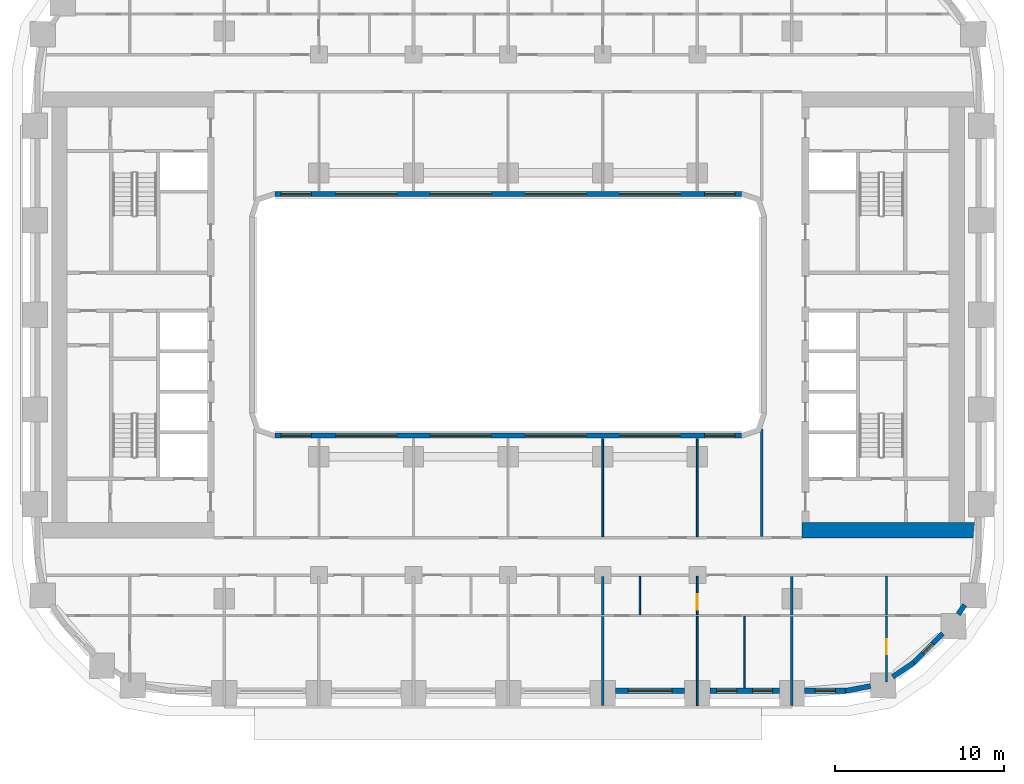
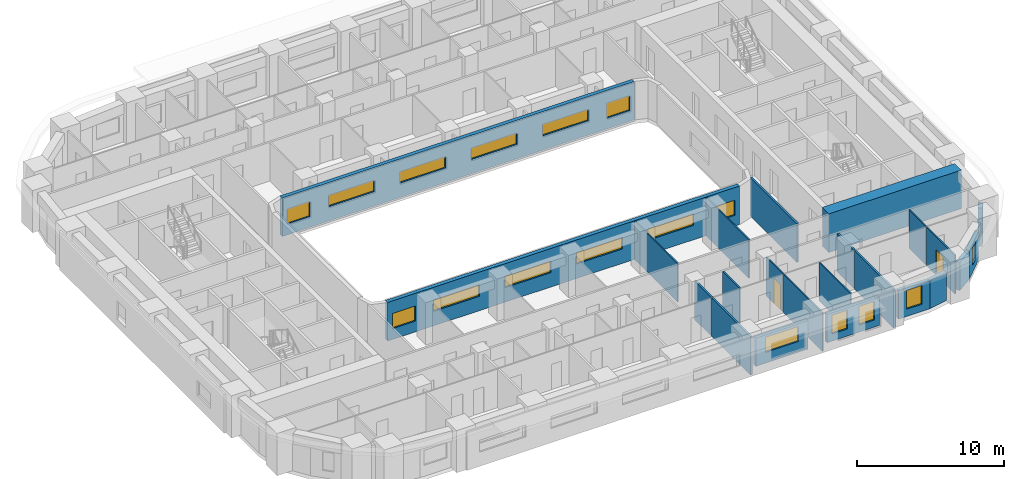
# One storey, part 5 of 20: 23 walls, 17 windows, 2 doors, 19 openings.
"""IFC4 building model written with IfcOpenShell, lengths in metres."""

from ifc_helpers import new_model, si_unit, direction, frame, frame_2d, origin, place, context, subcontext, project, spatial, rectangle, extrude, material, layer, layer_set, type_object, element, fill, save


model = new_model("IFC4")

# Units and contexts
model_context = context("Model", 3, precision=1e-05, world=origin(), true_north=direction((0.0, 1.0)))
body_context = subcontext(model_context, "Body", "Model", "MODEL_VIEW")
ifc_project = project(units=[si_unit("LENGTHUNIT", "METRE"), si_unit("AREAUNIT", "SQUARE_METRE"), si_unit("VOLUMEUNIT", "CUBIC_METRE"), si_unit("PLANEANGLEUNIT", "RADIAN"), si_unit("MASSUNIT", "GRAM", prefix="KILO")], contexts=[model_context])

# Site, building, storey
site_placement = place(None, origin())
site = spatial("IfcSite", under=ifc_project, at=site_placement, CompositionType="ELEMENT")
building_placement = place(site_placement, origin())
building = spatial("IfcBuilding", under=site, at=building_placement, Name="Kiln Ring Residences", CompositionType="ELEMENT")
storey_placement = place(building_placement, frame((0.0, 0.0, 37.5)))
storey = spatial("IfcBuildingStorey", under=building, at=storey_placement, Name="L08", CompositionType="ELEMENT", Elevation=37.5)

# Wall
ifc_material_1 = material(Name="Concrete C60/75", Category="concrete")
ifc_layer_1 = layer(ifc_material_1, 0.89990234375)
ifc_layer_set_1 = layer_set([ifc_layer_1], Name="CORE-WALL-RC900")
wall_type_1 = type_object("IfcWallType", Name="CORE-WALL-RC900", PredefinedType="SHEAR", material=ifc_layer_set_1)
wall_1_placement = place(storey_placement, frame((17.39990234375, -12.75, 0.0), z_axis=(0.0, 0.0, 1.0), x_axis=(1.0, 0.0, 0.0)))
element("IfcWall", 1, at=wall_1_placement, inside=storey, type_object=wall_type_1, Name="Core wall east L08 5", PredefinedType="SHEAR", context=body_context, shape_type="SweptSolid", body=[
    extrude(rectangle(XDim=10.400146484375, YDim=0.89990234375, at=frame_2d((5.2001953125, 0.0))), origin(), (0.0, 0.0, 1.0), 3.199951171875),
])

# Wall, opening, window
ifc_material_2 = material(Name="Brick masonry, dark clay brick", Category="masonry")
ifc_layer_2 = layer(ifc_material_2, 0.300048828125)
ifc_layer_set_2 = layer_set([ifc_layer_2], Name="EW-300 BRICK WALL")
wall_type_2 = type_object("IfcWallType", Name="EW-300 BRICK WALL", PredefinedType="SOLIDWALL", material=ifc_layer_set_2)
wall_2_placement = place(storey_placement, frame((6.35009765625, -22.25, 0.0), z_axis=(0.0, 0.0, 1.0), x_axis=(1.0, 0.0, 0.0)))
wall_2 = element("IfcWall", 2, at=wall_2_placement, inside=storey, type_object=wall_type_2, Name="Facade wall L08 9", PredefinedType="SOLIDWALL", context=body_context, shape_type="SweptSolid", body=[
    extrude(rectangle(XDim=4.099853515625, YDim=0.300048828125, at=frame_2d((2.0498046875, 0.0))), origin(), (0.0, 0.0, 1.0), 2.35009765625),
])
opening_1_placement = place(wall_2_placement, frame((0.75, 0.0, 0.89990234375)))
opening_1 = element("IfcOpeningElement", 3, at=opening_1_placement, cuts=wall_2, Name="Opening W3", PredefinedType="OPENING", context=body_context, shape_type="SweptSolid", body=[
    extrude(rectangle(XDim=2.60009765625, YDim=1.25, at=frame_2d((1.300048828125, 0.625))), frame((0.0, 0.159912109375, 0.0), z_axis=(0.0, -1.0, 0.0), x_axis=(1.0, 0.0, 0.0)), (0.0, 0.0, 1.0), 0.320068359375),
])
ifc_material_3 = material(Name="Aluminium frame with double glazing", Category="aluminium")
window_type_1 = type_object("IfcWindowType", Name="WINDOW 2600 x 1250", PartitioningType="SINGLE_PANEL", PredefinedType="WINDOW", material=ifc_material_3)
window_1_placement = place(opening_1_placement, origin())
window_1 = element("IfcWindow", 4, at=window_1_placement, inside=storey, type_object=window_type_1, Name="Window L08 7", OverallHeight=1.25, OverallWidth=2.60009765625, PartitioningType="SINGLE_PANEL", PredefinedType="WINDOW", context=body_context, shape_type="SweptSolid", body=[
    extrude(rectangle(XDim=2.60009765625, YDim=1.25, at=frame_2d((1.300048828125, 0.625))), frame((0.0, 0.030029296875, 0.0), z_axis=(0.0, -1.0, 0.0), x_axis=(1.0, 0.0, 0.0)), (0.0, 0.0, 1.0), 0.06005859375),
])
fill(opening_1, window_1)

# Wall, openings, windows
wall_3_placement = place(storey_placement, frame((11.949951171875, -22.25, 0.0), z_axis=(0.0, 0.0, 1.0), x_axis=(1.0, 0.0, 0.0)))
wall_3 = element("IfcWall", 5, at=wall_3_placement, inside=storey, type_object=wall_type_2, Name="Facade wall L08 10", PredefinedType="SOLIDWALL", context=body_context, shape_type="SweptSolid", body=[
    extrude(rectangle(XDim=4.10009765625, YDim=0.300048828125, at=frame_2d((2.050048828125, 0.0))), origin(), (0.0, 0.0, 1.0), 2.35009765625),
])
opening_2_placement = place(wall_3_placement, frame((0.387451171875, 0.0, 0.60009765625)))
opening_2 = element("IfcOpeningElement", 6, at=opening_2_placement, cuts=wall_3, Name="Opening W1", PredefinedType="OPENING", context=body_context, shape_type="SweptSolid", body=[
    extrude(rectangle(XDim=1.199951171875, YDim=1.550048828125, at=frame_2d((0.60009765625, 0.77490234375))), frame((0.0, 0.159912109375, 0.0), z_axis=(0.0, -1.0, 0.0), x_axis=(1.0, 0.0, 0.0)), (0.0, 0.0, 1.0), 0.320068359375),
])
opening_3_placement = place(wall_3_placement, frame((2.512451171875, 0.0, 0.60009765625)))
opening_3 = element("IfcOpeningElement", 7, at=opening_3_placement, cuts=wall_3, Name="Opening W1", PredefinedType="OPENING", context=body_context, shape_type="SweptSolid", body=[
    extrude(rectangle(XDim=1.199951171875, YDim=1.550048828125, at=frame_2d((0.60009765625, 0.77490234375))), frame((0.0, 0.159912109375, 0.0), z_axis=(0.0, -1.0, 0.0), x_axis=(1.0, 0.0, 0.0)), (0.0, 0.0, 1.0), 0.320068359375),
])
ifc_material_4 = material(Name="Aluminium frame with double glazing", Category="aluminium")
window_type_2 = type_object("IfcWindowType", Name="WINDOW 1200 x 1550", PartitioningType="SINGLE_PANEL", PredefinedType="WINDOW", material=ifc_material_4)
window_2_placement = place(opening_2_placement, origin())
window_2 = element("IfcWindow", 8, at=window_2_placement, inside=storey, type_object=window_type_2, Name="Window L08 8", OverallHeight=1.550048828125, OverallWidth=1.199951171875, PartitioningType="SINGLE_PANEL", PredefinedType="WINDOW", context=body_context, shape_type="SweptSolid", body=[
    extrude(rectangle(XDim=1.199951171875, YDim=1.550048828125, at=frame_2d((0.60009765625, 0.77490234375))), frame((0.0, 0.030029296875, 0.0), z_axis=(0.0, -1.0, 0.0), x_axis=(1.0, 0.0, 0.0)), (0.0, 0.0, 1.0), 0.06005859375),
])
fill(opening_2, window_2)
window_3_placement = place(opening_3_placement, origin())
window_3 = element("IfcWindow", 9, at=window_3_placement, inside=storey, type_object=window_type_2, Name="Window L08 9", OverallHeight=1.550048828125, OverallWidth=1.199951171875, PartitioningType="SINGLE_PANEL", PredefinedType="WINDOW", context=body_context, shape_type="SweptSolid", body=[
    extrude(rectangle(XDim=1.199951171875, YDim=1.550048828125, at=frame_2d((0.60009765625, 0.77490234375))), frame((0.0, 0.030029296875, 0.0), z_axis=(0.0, -1.0, 0.0), x_axis=(1.0, 0.0, 0.0)), (0.0, 0.0, 1.0), 0.06005859375),
])
fill(opening_3, window_3)

# Wall, opening, window
wall_4_placement = place(storey_placement, frame((17.550048828125, -22.25, 0.0), z_axis=(0.0, 0.0, 1.0), x_axis=(1.0, 0.0, 0.0)))
wall_4 = element("IfcWall", 10, at=wall_4_placement, inside=storey, type_object=wall_type_2, Name="Facade wall L08 11", PredefinedType="SOLIDWALL", context=body_context, shape_type="SweptSolid", body=[
    extrude(rectangle(XDim=2.449951171875, YDim=0.300048828125, at=frame_2d((1.22509765625, 0.0))), origin(), (0.0, 0.0, 1.0), 2.35009765625),
])
opening_4_placement = place(wall_4_placement, frame((0.625, 0.0, 0.60009765625)))
opening_4 = element("IfcOpeningElement", 11, at=opening_4_placement, cuts=wall_4, Name="Opening W1", PredefinedType="OPENING", context=body_context, shape_type="SweptSolid", body=[
    extrude(rectangle(XDim=1.199951171875, YDim=1.550048828125, at=frame_2d((0.60009765625, 0.77490234375))), frame((0.0, 0.159912109375, 0.0), z_axis=(0.0, -1.0, 0.0), x_axis=(1.0, 0.0, 0.0)), (0.0, 0.0, 1.0), 0.320068359375),
])
window_4_placement = place(opening_4_placement, origin())
window_4 = element("IfcWindow", 12, at=window_4_placement, inside=storey, type_object=window_type_2, Name="Window L08 10", OverallHeight=1.550048828125, OverallWidth=1.199951171875, PartitioningType="SINGLE_PANEL", PredefinedType="WINDOW", context=body_context, shape_type="SweptSolid", body=[
    extrude(rectangle(XDim=1.199951171875, YDim=1.550048828125, at=frame_2d((0.60009765625, 0.77490234375))), frame((0.0, 0.030029296875, 0.0), z_axis=(0.0, -1.0, 0.0), x_axis=(1.0, 0.0, 0.0)), (0.0, 0.0, 1.0), 0.06005859375),
])
fill(opening_4, window_4)

# Walls
for number, where, z_axis, x_axis, name in (
    (13, (19.971923828125, -22.252685546875, 0.0), (0.0, 0.0, 1.0), (0.982287454367, 0.187380247071, 0.0), "Facade wall L08 12"),
    (14, (22.76708984375, -21.425537109375, 0.0), (0.0, 0.0, 1.0), (0.827028997312, 0.562159263559, 0.0), "Facade wall L08 13"),
):
    element("IfcWall", number, at=place(storey_placement, frame(where, z_axis=z_axis, x_axis=x_axis)), inside=storey, type_object=wall_type_2, Name=name, PredefinedType="SOLIDWALL", context=body_context, shape_type="SweptSolid", body=[
        extrude(rectangle(XDim=1.506103515625, YDim=0.300048828125, at=frame_2d((0.7529296875, 0.0))), origin(), (0.0, 0.0, 1.0), 2.35009765625),
    ])

# Wall, opening, window
wall_5_placement = place(storey_placement, frame((23.990966796875, -20.596923828125, 0.0), z_axis=(0.0, 0.0, 1.0), x_axis=(0.707106781187, 0.707106781187, 0.0)))
wall_5 = element("IfcWall", 15, at=wall_5_placement, inside=storey, type_object=wall_type_2, Name="Facade wall L08 14", PredefinedType="SOLIDWALL", context=body_context, shape_type="SweptSolid", body=[
    extrude(rectangle(XDim=2.449951171875, YDim=0.300048828125, at=frame_2d((1.22509765625, 0.0))), origin(), (0.0, 0.0, 1.0), 2.35009765625),
])
opening_5_placement = place(wall_5_placement, frame((0.824951171875, 0.0, 0.60009765625)))
opening_5 = element("IfcOpeningElement", 16, at=opening_5_placement, cuts=wall_5, Name="Opening W5", PredefinedType="OPENING", context=body_context, shape_type="SweptSolid", body=[
    extrude(rectangle(XDim=0.800048828125, YDim=1.550048828125, at=frame_2d((0.39990234375, 0.77490234375))), frame((0.0, 0.159912109375, 0.0), z_axis=(0.0, -1.0, 0.0), x_axis=(1.0, 0.0, 0.0)), (0.0, 0.0, 1.0), 0.320068359375),
])
ifc_material_5 = material(Name="Aluminium frame with double glazing", Category="aluminium")
window_type_3 = type_object("IfcWindowType", Name="WINDOW 800 x 1550", PartitioningType="SINGLE_PANEL", PredefinedType="WINDOW", material=ifc_material_5)
window_5_placement = place(opening_5_placement, origin())
window_5 = element("IfcWindow", 17, at=window_5_placement, inside=storey, type_object=window_type_3, Name="Window L08 11", OverallHeight=1.550048828125, OverallWidth=0.800048828125, PartitioningType="SINGLE_PANEL", PredefinedType="WINDOW", context=body_context, shape_type="SweptSolid", body=[
    extrude(rectangle(XDim=0.800048828125, YDim=1.550048828125, at=frame_2d((0.39990234375, 0.77490234375))), frame((0.0, 0.030029296875, 0.0), z_axis=(0.0, -1.0, 0.0), x_axis=(1.0, 0.0, 0.0)), (0.0, 0.0, 1.0), 0.06005859375),
])
fill(opening_5, window_5)

# Wall
wall_6_placement = place(storey_placement, frame((26.644775390625, -17.72705078125, 0.0), z_axis=(0.0, 0.0, 1.0), x_axis=(0.562083182981, 0.827080706709, 0.0)))
element("IfcWall", 18, at=wall_6_placement, inside=storey, type_object=wall_type_2, Name="Facade wall L08 15", PredefinedType="SOLIDWALL", context=body_context, shape_type="SweptSolid", body=[
    extrude(rectangle(XDim=0.67724609375, YDim=0.300048828125, at=frame_2d((0.338623046875, 0.0))), origin(), (0.0, 0.0, 1.0), 3.199951171875),
])

# Wall, openings, windows
wall_7_placement = place(storey_placement, frame((-13.800048828125, 7.14990234375, 0.0), z_axis=(0.0, 0.0, 1.0), x_axis=(1.0, 0.0, 0.0)))
wall_7 = element("IfcWall", 19, at=wall_7_placement, inside=storey, type_object=wall_type_2, Name="Facade wall L08 50", PredefinedType="SOLIDWALL", context=body_context, shape_type="SweptSolid", body=[
    extrude(rectangle(XDim=27.60009765625, YDim=0.300048828125, at=frame_2d((13.800048828125, 0.0))), origin(), (0.0, 0.0, 1.0), 3.199951171875),
])
opening_6_placement = place(wall_7_placement, frame((0.362548828125, 0.0, 0.89990234375)))
opening_6 = element("IfcOpeningElement", 20, at=opening_6_placement, cuts=wall_7, Name="Opening W2", PredefinedType="OPENING", context=body_context, shape_type="SweptSolid", body=[
    extrude(rectangle(XDim=1.800048828125, YDim=1.25, at=frame_2d((0.89990234375, 0.625))), frame((0.0, 0.159912109375, 0.0), z_axis=(0.0, -1.0, 0.0), x_axis=(1.0, 0.0, 0.0)), (0.0, 0.0, 1.0), 0.320068359375),
])
opening_7_placement = place(wall_7_placement, frame((3.60009765625, 0.0, 1.199951171875)))
opening_7 = element("IfcOpeningElement", 21, at=opening_7_placement, cuts=wall_7, Name="Opening W4", PredefinedType="OPENING", context=body_context, shape_type="SweptSolid", body=[
    extrude(rectangle(XDim=3.60009765625, YDim=0.949951171875, at=frame_2d((1.800048828125, 0.47509765625))), frame((0.0, 0.159912109375, 0.0), z_axis=(0.0, -1.0, 0.0), x_axis=(1.0, 0.0, 0.0)), (0.0, 0.0, 1.0), 0.320068359375),
])
opening_8_placement = place(wall_7_placement, frame((9.199951171875, 0.0, 1.199951171875)))
opening_8 = element("IfcOpeningElement", 22, at=opening_8_placement, cuts=wall_7, Name="Opening W4", PredefinedType="OPENING", context=body_context, shape_type="SweptSolid", body=[
    extrude(rectangle(XDim=3.60009765625, YDim=0.949951171875, at=frame_2d((1.800048828125, 0.47509765625))), frame((0.0, 0.159912109375, 0.0), z_axis=(0.0, -1.0, 0.0), x_axis=(1.0, 0.0, 0.0)), (0.0, 0.0, 1.0), 0.320068359375),
])
opening_9_placement = place(wall_7_placement, frame((14.800048828125, 0.0, 1.199951171875)))
opening_9 = element("IfcOpeningElement", 23, at=opening_9_placement, cuts=wall_7, Name="Opening W4", PredefinedType="OPENING", context=body_context, shape_type="SweptSolid", body=[
    extrude(rectangle(XDim=3.60009765625, YDim=0.949951171875, at=frame_2d((1.800048828125, 0.47509765625))), frame((0.0, 0.159912109375, 0.0), z_axis=(0.0, -1.0, 0.0), x_axis=(1.0, 0.0, 0.0)), (0.0, 0.0, 1.0), 0.320068359375),
])
opening_10_placement = place(wall_7_placement, frame((20.39990234375, 0.0, 1.199951171875)))
opening_10 = element("IfcOpeningElement", 24, at=opening_10_placement, cuts=wall_7, Name="Opening W4", PredefinedType="OPENING", context=body_context, shape_type="SweptSolid", body=[
    extrude(rectangle(XDim=3.60009765625, YDim=0.949951171875, at=frame_2d((1.800048828125, 0.47509765625))), frame((0.0, 0.159912109375, 0.0), z_axis=(0.0, -1.0, 0.0), x_axis=(1.0, 0.0, 0.0)), (0.0, 0.0, 1.0), 0.320068359375),
])
opening_11_placement = place(wall_7_placement, frame((25.4375, 0.0, 0.89990234375)))
opening_11 = element("IfcOpeningElement", 25, at=opening_11_placement, cuts=wall_7, Name="Opening W2", PredefinedType="OPENING", context=body_context, shape_type="SweptSolid", body=[
    extrude(rectangle(XDim=1.800048828125, YDim=1.25, at=frame_2d((0.89990234375, 0.625))), frame((0.0, 0.159912109375, 0.0), z_axis=(0.0, -1.0, 0.0), x_axis=(1.0, 0.0, 0.0)), (0.0, 0.0, 1.0), 0.320068359375),
])
ifc_material_6 = material(Name="Aluminium frame with double glazing", Category="aluminium")
window_type_4 = type_object("IfcWindowType", Name="WINDOW 1800 x 1250", PartitioningType="SINGLE_PANEL", PredefinedType="WINDOW", material=ifc_material_6)
window_6_placement = place(opening_6_placement, origin())
window_6 = element("IfcWindow", 26, at=window_6_placement, inside=storey, type_object=window_type_4, Name="Window L08 24", OverallHeight=1.25, OverallWidth=1.800048828125, PartitioningType="SINGLE_PANEL", PredefinedType="WINDOW", context=body_context, shape_type="SweptSolid", body=[
    extrude(rectangle(XDim=1.800048828125, YDim=1.25, at=frame_2d((0.89990234375, 0.625))), frame((0.0, 0.030029296875, 0.0), z_axis=(0.0, -1.0, 0.0), x_axis=(1.0, 0.0, 0.0)), (0.0, 0.0, 1.0), 0.06005859375),
])
fill(opening_6, window_6)
window_7_placement = place(opening_11_placement, origin())
window_7 = element("IfcWindow", 27, at=window_7_placement, inside=storey, type_object=window_type_4, Name="Window L08 29", OverallHeight=1.25, OverallWidth=1.800048828125, PartitioningType="SINGLE_PANEL", PredefinedType="WINDOW", context=body_context, shape_type="SweptSolid", body=[
    extrude(rectangle(XDim=1.800048828125, YDim=1.25, at=frame_2d((0.89990234375, 0.625))), frame((0.0, 0.030029296875, 0.0), z_axis=(0.0, -1.0, 0.0), x_axis=(1.0, 0.0, 0.0)), (0.0, 0.0, 1.0), 0.06005859375),
])
fill(opening_11, window_7)
ifc_material_7 = material(Name="Aluminium frame with double glazing", Category="aluminium")
window_type_5 = type_object("IfcWindowType", Name="WINDOW 3600 x 950", PartitioningType="SINGLE_PANEL", PredefinedType="WINDOW", material=ifc_material_7)
window_8_placement = place(opening_7_placement, origin())
window_8 = element("IfcWindow", 28, at=window_8_placement, inside=storey, type_object=window_type_5, Name="Window L08 25", OverallHeight=0.949951171875, OverallWidth=3.60009765625, PartitioningType="SINGLE_PANEL", PredefinedType="WINDOW", context=body_context, shape_type="SweptSolid", body=[
    extrude(rectangle(XDim=3.60009765625, YDim=0.949951171875, at=frame_2d((1.800048828125, 0.47509765625))), frame((0.0, 0.030029296875, 0.0), z_axis=(0.0, -1.0, 0.0), x_axis=(1.0, 0.0, 0.0)), (0.0, 0.0, 1.0), 0.06005859375),
])
fill(opening_7, window_8)
window_9_placement = place(opening_8_placement, origin())
window_9 = element("IfcWindow", 29, at=window_9_placement, inside=storey, type_object=window_type_5, Name="Window L08 26", OverallHeight=0.949951171875, OverallWidth=3.60009765625, PartitioningType="SINGLE_PANEL", PredefinedType="WINDOW", context=body_context, shape_type="SweptSolid", body=[
    extrude(rectangle(XDim=3.60009765625, YDim=0.949951171875, at=frame_2d((1.800048828125, 0.47509765625))), frame((0.0, 0.030029296875, 0.0), z_axis=(0.0, -1.0, 0.0), x_axis=(1.0, 0.0, 0.0)), (0.0, 0.0, 1.0), 0.06005859375),
])
fill(opening_8, window_9)
window_10_placement = place(opening_9_placement, origin())
window_10 = element("IfcWindow", 30, at=window_10_placement, inside=storey, type_object=window_type_5, Name="Window L08 27", OverallHeight=0.949951171875, OverallWidth=3.60009765625, PartitioningType="SINGLE_PANEL", PredefinedType="WINDOW", context=body_context, shape_type="SweptSolid", body=[
    extrude(rectangle(XDim=3.60009765625, YDim=0.949951171875, at=frame_2d((1.800048828125, 0.47509765625))), frame((0.0, 0.030029296875, 0.0), z_axis=(0.0, -1.0, 0.0), x_axis=(1.0, 0.0, 0.0)), (0.0, 0.0, 1.0), 0.06005859375),
])
fill(opening_9, window_10)
window_11_placement = place(opening_10_placement, origin())
window_11 = element("IfcWindow", 31, at=window_11_placement, inside=storey, type_object=window_type_5, Name="Window L08 28", OverallHeight=0.949951171875, OverallWidth=3.60009765625, PartitioningType="SINGLE_PANEL", PredefinedType="WINDOW", context=body_context, shape_type="SweptSolid", body=[
    extrude(rectangle(XDim=3.60009765625, YDim=0.949951171875, at=frame_2d((1.800048828125, 0.47509765625))), frame((0.0, 0.030029296875, 0.0), z_axis=(0.0, -1.0, 0.0), x_axis=(1.0, 0.0, 0.0)), (0.0, 0.0, 1.0), 0.06005859375),
])
fill(opening_10, window_11)

wall_8_placement = place(storey_placement, frame((13.800048828125, -7.14990234375, 0.0), z_axis=(0.0, 0.0, 1.0), x_axis=(-1.0, 0.0, 0.0)))
wall_8 = element("IfcWall", 32, at=wall_8_placement, inside=storey, type_object=wall_type_2, Name="Facade wall L08 52", PredefinedType="SOLIDWALL", context=body_context, shape_type="SweptSolid", body=[
    extrude(rectangle(XDim=27.60009765625, YDim=0.300048828125, at=frame_2d((13.800048828125, 0.0))), origin(), (0.0, 0.0, 1.0), 3.199951171875),
])
opening_12_placement = place(wall_8_placement, frame((0.362548828125, 0.0, 0.89990234375)))
opening_12 = element("IfcOpeningElement", 33, at=opening_12_placement, cuts=wall_8, Name="Opening W2", PredefinedType="OPENING", context=body_context, shape_type="SweptSolid", body=[
    extrude(rectangle(XDim=1.800048828125, YDim=1.25, at=frame_2d((0.89990234375, 0.625))), frame((0.0, 0.159912109375, 0.0), z_axis=(0.0, -1.0, 0.0), x_axis=(1.0, 0.0, 0.0)), (0.0, 0.0, 1.0), 0.320068359375),
])
opening_13_placement = place(wall_8_placement, frame((3.60009765625, 0.0, 1.199951171875)))
opening_13 = element("IfcOpeningElement", 34, at=opening_13_placement, cuts=wall_8, Name="Opening W4", PredefinedType="OPENING", context=body_context, shape_type="SweptSolid", body=[
    extrude(rectangle(XDim=3.60009765625, YDim=0.949951171875, at=frame_2d((1.800048828125, 0.47509765625))), frame((0.0, 0.159912109375, 0.0), z_axis=(0.0, -1.0, 0.0), x_axis=(1.0, 0.0, 0.0)), (0.0, 0.0, 1.0), 0.320068359375),
])
opening_14_placement = place(wall_8_placement, frame((9.199951171875, 0.0, 1.199951171875)))
opening_14 = element("IfcOpeningElement", 35, at=opening_14_placement, cuts=wall_8, Name="Opening W4", PredefinedType="OPENING", context=body_context, shape_type="SweptSolid", body=[
    extrude(rectangle(XDim=3.60009765625, YDim=0.949951171875, at=frame_2d((1.800048828125, 0.47509765625))), frame((0.0, 0.159912109375, 0.0), z_axis=(0.0, -1.0, 0.0), x_axis=(1.0, 0.0, 0.0)), (0.0, 0.0, 1.0), 0.320068359375),
])
opening_15_placement = place(wall_8_placement, frame((14.800048828125, 0.0, 1.199951171875)))
opening_15 = element("IfcOpeningElement", 36, at=opening_15_placement, cuts=wall_8, Name="Opening W4", PredefinedType="OPENING", context=body_context, shape_type="SweptSolid", body=[
    extrude(rectangle(XDim=3.60009765625, YDim=0.949951171875, at=frame_2d((1.800048828125, 0.47509765625))), frame((0.0, 0.159912109375, 0.0), z_axis=(0.0, -1.0, 0.0), x_axis=(1.0, 0.0, 0.0)), (0.0, 0.0, 1.0), 0.320068359375),
])
opening_16_placement = place(wall_8_placement, frame((20.39990234375, 0.0, 1.199951171875)))
opening_16 = element("IfcOpeningElement", 37, at=opening_16_placement, cuts=wall_8, Name="Opening W4", PredefinedType="OPENING", context=body_context, shape_type="SweptSolid", body=[
    extrude(rectangle(XDim=3.60009765625, YDim=0.949951171875, at=frame_2d((1.800048828125, 0.47509765625))), frame((0.0, 0.159912109375, 0.0), z_axis=(0.0, -1.0, 0.0), x_axis=(1.0, 0.0, 0.0)), (0.0, 0.0, 1.0), 0.320068359375),
])
opening_17_placement = place(wall_8_placement, frame((25.4375, 0.0, 0.89990234375)))
opening_17 = element("IfcOpeningElement", 38, at=opening_17_placement, cuts=wall_8, Name="Opening W2", PredefinedType="OPENING", context=body_context, shape_type="SweptSolid", body=[
    extrude(rectangle(XDim=1.800048828125, YDim=1.25, at=frame_2d((0.89990234375, 0.625))), frame((0.0, 0.159912109375, 0.0), z_axis=(0.0, -1.0, 0.0), x_axis=(1.0, 0.0, 0.0)), (0.0, 0.0, 1.0), 0.320068359375),
])
window_12_placement = place(opening_12_placement, origin())
window_12 = element("IfcWindow", 39, at=window_12_placement, inside=storey, type_object=window_type_4, Name="Window L08 30", OverallHeight=1.25, OverallWidth=1.800048828125, PartitioningType="SINGLE_PANEL", PredefinedType="WINDOW", context=body_context, shape_type="SweptSolid", body=[
    extrude(rectangle(XDim=1.800048828125, YDim=1.25, at=frame_2d((0.89990234375, 0.625))), frame((0.0, 0.030029296875, 0.0), z_axis=(0.0, -1.0, 0.0), x_axis=(1.0, 0.0, 0.0)), (0.0, 0.0, 1.0), 0.06005859375),
])
fill(opening_12, window_12)
window_13_placement = place(opening_17_placement, origin())
window_13 = element("IfcWindow", 40, at=window_13_placement, inside=storey, type_object=window_type_4, Name="Window L08 35", OverallHeight=1.25, OverallWidth=1.800048828125, PartitioningType="SINGLE_PANEL", PredefinedType="WINDOW", context=body_context, shape_type="SweptSolid", body=[
    extrude(rectangle(XDim=1.800048828125, YDim=1.25, at=frame_2d((0.89990234375, 0.625))), frame((0.0, 0.030029296875, 0.0), z_axis=(0.0, -1.0, 0.0), x_axis=(1.0, 0.0, 0.0)), (0.0, 0.0, 1.0), 0.06005859375),
])
fill(opening_17, window_13)
window_14_placement = place(opening_13_placement, origin())
window_14 = element("IfcWindow", 41, at=window_14_placement, inside=storey, type_object=window_type_5, Name="Window L08 31", OverallHeight=0.949951171875, OverallWidth=3.60009765625, PartitioningType="SINGLE_PANEL", PredefinedType="WINDOW", context=body_context, shape_type="SweptSolid", body=[
    extrude(rectangle(XDim=3.60009765625, YDim=0.949951171875, at=frame_2d((1.800048828125, 0.47509765625))), frame((0.0, 0.030029296875, 0.0), z_axis=(0.0, -1.0, 0.0), x_axis=(1.0, 0.0, 0.0)), (0.0, 0.0, 1.0), 0.06005859375),
])
fill(opening_13, window_14)
window_15_placement = place(opening_14_placement, origin())
window_15 = element("IfcWindow", 42, at=window_15_placement, inside=storey, type_object=window_type_5, Name="Window L08 32", OverallHeight=0.949951171875, OverallWidth=3.60009765625, PartitioningType="SINGLE_PANEL", PredefinedType="WINDOW", context=body_context, shape_type="SweptSolid", body=[
    extrude(rectangle(XDim=3.60009765625, YDim=0.949951171875, at=frame_2d((1.800048828125, 0.47509765625))), frame((0.0, 0.030029296875, 0.0), z_axis=(0.0, -1.0, 0.0), x_axis=(1.0, 0.0, 0.0)), (0.0, 0.0, 1.0), 0.06005859375),
])
fill(opening_14, window_15)
window_16_placement = place(opening_15_placement, origin())
window_16 = element("IfcWindow", 43, at=window_16_placement, inside=storey, type_object=window_type_5, Name="Window L08 33", OverallHeight=0.949951171875, OverallWidth=3.60009765625, PartitioningType="SINGLE_PANEL", PredefinedType="WINDOW", context=body_context, shape_type="SweptSolid", body=[
    extrude(rectangle(XDim=3.60009765625, YDim=0.949951171875, at=frame_2d((1.800048828125, 0.47509765625))), frame((0.0, 0.030029296875, 0.0), z_axis=(0.0, -1.0, 0.0), x_axis=(1.0, 0.0, 0.0)), (0.0, 0.0, 1.0), 0.06005859375),
])
fill(opening_15, window_16)
window_17_placement = place(opening_16_placement, origin())
window_17 = element("IfcWindow", 44, at=window_17_placement, inside=storey, type_object=window_type_5, Name="Window L08 34", OverallHeight=0.949951171875, OverallWidth=3.60009765625, PartitioningType="SINGLE_PANEL", PredefinedType="WINDOW", context=body_context, shape_type="SweptSolid", body=[
    extrude(rectangle(XDim=3.60009765625, YDim=0.949951171875, at=frame_2d((1.800048828125, 0.47509765625))), frame((0.0, 0.030029296875, 0.0), z_axis=(0.0, -1.0, 0.0), x_axis=(1.0, 0.0, 0.0)), (0.0, 0.0, 1.0), 0.06005859375),
])
fill(opening_16, window_17)

# Walls
ifc_material_8 = material(Name="Gypsum board on steel studs", Category="steel")
ifc_layer_3 = layer(ifc_material_8, 0.10009765625)
ifc_layer_set_3 = layer_set([ifc_layer_3], Name="PARTITION-100")
wall_type_3 = type_object("IfcWallType", Name="PARTITION-100", PredefinedType="PARTITIONING", material=ifc_layer_set_3)
wall_9_placement = place(storey_placement, frame((5.60009765625, -13.125, 0.0), z_axis=(0.0, 0.0, 1.0), x_axis=(0.0, 1.0, 0.0)))
element("IfcWall", 45, at=wall_9_placement, inside=storey, type_object=wall_type_3, Name="Partition 042", PredefinedType="PARTITIONING", context=body_context, shape_type="SweptSolid", body=[
    extrude(rectangle(XDim=5.804931640625, YDim=0.10009765625, at=frame_2d((2.90234375, 0.0))), origin(), (0.0, 0.0, 1.0), 3.199951171875),
])
wall_10_placement = place(storey_placement, frame((7.800048828125, -17.75, 0.0), z_axis=(0.0, 0.0, 1.0), x_axis=(0.0, 1.0, 0.0)))
element("IfcWall", 46, at=wall_10_placement, inside=storey, type_object=wall_type_3, Name="Partition 048", PredefinedType="PARTITIONING", context=body_context, shape_type="SweptSolid", body=[
    extrude(rectangle(XDim=2.27490234375, YDim=0.10009765625, at=frame_2d((1.137451171875, 0.0))), origin(), (0.0, 0.0, 1.0), 3.199951171875),
])
wall_11_placement = place(storey_placement, frame((11.199951171875, -23.1298828125, 0.0), z_axis=(0.0, 0.0, 1.0), x_axis=(0.0, 1.0, 0.0)))
element("IfcWall", 47, at=wall_11_placement, inside=storey, type_object=wall_type_3, Name="Partition 050", PredefinedType="PARTITIONING", context=body_context, shape_type="SweptSolid", body=[
    extrude(rectangle(XDim=5.27978515625, YDim=0.10009765625, at=frame_2d((2.639892578125, 0.0))), origin(), (0.0, 0.0, 1.0), 3.199951171875),
])

# Wall, opening, door
wall_12_placement = place(storey_placement, frame((11.199951171875, -17.75, 0.0), z_axis=(0.0, 0.0, 1.0), x_axis=(0.0, 1.0, 0.0)))
wall_12 = element("IfcWall", 48, at=wall_12_placement, inside=storey, type_object=wall_type_3, Name="Partition 051", PredefinedType="PARTITIONING", context=body_context, shape_type="SweptSolid", body=[
    extrude(rectangle(XDim=2.27490234375, YDim=0.10009765625, at=frame_2d((1.137451171875, 0.0))), origin(), (0.0, 0.0, 1.0), 3.199951171875),
])
opening_18_placement = place(wall_12_placement, frame((0.299072265625, 0.0, 0.0)))
opening_18 = element("IfcOpeningElement", 49, at=opening_18_placement, cuts=wall_12, Name="Opening L08-D060", PredefinedType="OPENING", context=body_context, shape_type="SweptSolid", body=[
    extrude(rectangle(XDim=0.89990234375, YDim=2.10009765625, at=frame_2d((0.449951171875, 1.050048828125))), frame((0.0, 0.06005859375, 0.0), z_axis=(0.0, -1.0, 0.0), x_axis=(1.0, 0.0, 0.0)), (0.0, 0.0, 1.0), 0.1201171875),
])
ifc_material_9 = material(Name="Timber door leaf", Category="wood")
door_type = type_object("IfcDoorType", Name="FLAT-DOOR-900-PL", OperationType="SINGLE_SWING_LEFT", PredefinedType="DOOR", material=ifc_material_9)
door_1_placement = place(opening_18_placement, origin())
door_1 = element("IfcDoor", 50, at=door_1_placement, inside=storey, type_object=door_type, Name="Door L08-D060", OperationType="SINGLE_SWING_RIGHT", OverallHeight=2.10009765625, OverallWidth=0.89990234375, PredefinedType="DOOR", context=body_context, shape_type="SweptSolid", body=[
    extrude(rectangle(XDim=0.89990234375, YDim=2.10009765625, at=frame_2d((0.449951171875, 1.050048828125))), frame((0.0, 0.02490234375, 0.0), z_axis=(0.0, -1.0, 0.0), x_axis=(1.0, 0.0, 0.0)), (0.0, 0.0, 1.0), 0.050048828125),
])
fill(opening_18, door_1)

# Walls
wall_13_placement = place(storey_placement, frame((11.199951171875, -13.125, 0.0), z_axis=(0.0, 0.0, 1.0), x_axis=(0.0, 1.0, 0.0)))
element("IfcWall", 51, at=wall_13_placement, inside=storey, type_object=wall_type_3, Name="Partition 052", PredefinedType="PARTITIONING", context=body_context, shape_type="SweptSolid", body=[
    extrude(rectangle(XDim=5.804931640625, YDim=0.10009765625, at=frame_2d((2.90234375, 0.0))), origin(), (0.0, 0.0, 1.0), 3.199951171875),
])
wall_14_placement = place(storey_placement, frame((14.0, -22.080078125, 0.0), z_axis=(0.0, 0.0, 1.0), x_axis=(0.0, 1.0, 0.0)))
element("IfcWall", 52, at=wall_14_placement, inside=storey, type_object=wall_type_3, Name="Partition 057", PredefinedType="PARTITIONING", context=body_context, shape_type="SweptSolid", body=[
    extrude(rectangle(XDim=4.22998046875, YDim=0.10009765625, at=frame_2d((2.114990234375, 0.0))), origin(), (0.0, 0.0, 1.0), 3.199951171875),
])

# Wall, opening, door
wall_15_placement = place(storey_placement, frame((22.39990234375, -21.719970703125, 0.0), z_axis=(0.0, 0.0, 1.0), x_axis=(0.0, 1.0, 0.0)))
wall_15 = element("IfcWall", 53, at=wall_15_placement, inside=storey, type_object=wall_type_3, Name="Partition 064", PredefinedType="PARTITIONING", context=body_context, shape_type="SweptSolid", body=[
    extrude(rectangle(XDim=3.869873046875, YDim=0.10009765625, at=frame_2d((1.93505859375, 0.0))), origin(), (0.0, 0.0, 1.0), 3.199951171875),
])
opening_19_placement = place(wall_15_placement, frame((1.6220703125, 0.0, 0.0)))
opening_19 = element("IfcOpeningElement", 54, at=opening_19_placement, cuts=wall_15, Name="Opening L08-D068", PredefinedType="OPENING", context=body_context, shape_type="SweptSolid", body=[
    extrude(rectangle(XDim=0.89990234375, YDim=2.10009765625, at=frame_2d((0.449951171875, 1.050048828125))), frame((0.0, 0.06005859375, 0.0), z_axis=(0.0, -1.0, 0.0), x_axis=(1.0, 0.0, 0.0)), (0.0, 0.0, 1.0), 0.1201171875),
])
door_2_placement = place(opening_19_placement, origin())
door_2 = element("IfcDoor", 55, at=door_2_placement, inside=storey, type_object=door_type, Name="Door L08-D068", OperationType="SINGLE_SWING_RIGHT", OverallHeight=2.10009765625, OverallWidth=0.89990234375, PredefinedType="DOOR", context=body_context, shape_type="SweptSolid", body=[
    extrude(rectangle(XDim=0.89990234375, YDim=2.10009765625, at=frame_2d((0.449951171875, 1.050048828125))), frame((0.0, 0.02490234375, 0.0), z_axis=(0.0, -1.0, 0.0), x_axis=(1.0, 0.0, 0.0)), (0.0, 0.0, 1.0), 0.050048828125),
])
fill(opening_19, door_2)

# Walls
wall_16_placement = place(storey_placement, frame((22.39990234375, -17.75, 0.0), z_axis=(0.0, 0.0, 1.0), x_axis=(0.0, 1.0, 0.0)))
element("IfcWall", 56, at=wall_16_placement, inside=storey, type_object=wall_type_3, Name="Partition 065", PredefinedType="PARTITIONING", context=body_context, shape_type="SweptSolid", body=[
    extrude(rectangle(XDim=2.27490234375, YDim=0.10009765625, at=frame_2d((1.137451171875, 0.0))), origin(), (0.0, 0.0, 1.0), 3.199951171875),
])
ifc_material_10 = material(Name="Brick masonry partition", Category="masonry")
ifc_layer_4 = layer(ifc_material_10, 0.14990234375)
ifc_layer_set_4 = layer_set([ifc_layer_4], Name="PARTITION-150-ei60")
wall_type_4 = type_object("IfcWallType", Name="PARTITION-150-ei60", PredefinedType="PARTITIONING", material=ifc_layer_set_4)
wall_17_placement = place(storey_placement, frame((5.60009765625, -23.1298828125, 0.0), z_axis=(0.0, 0.0, 1.0), x_axis=(0.0, 1.0, 0.0)))
element("IfcWall", 57, at=wall_17_placement, inside=storey, type_object=wall_type_4, Name="Partition 046", PredefinedType="PARTITIONING", context=body_context, shape_type="SweptSolid", body=[
    extrude(rectangle(XDim=5.27978515625, YDim=0.14990234375, at=frame_2d((2.639892578125, 0.0))), origin(), (0.0, 0.0, 1.0), 3.199951171875),
])
wall_18_placement = place(storey_placement, frame((5.60009765625, -17.75, 0.0), z_axis=(0.0, 0.0, 1.0), x_axis=(0.0, 1.0, 0.0)))
element("IfcWall", 58, at=wall_18_placement, inside=storey, type_object=wall_type_4, Name="Partition 047", PredefinedType="PARTITIONING", context=body_context, shape_type="SweptSolid", body=[
    extrude(rectangle(XDim=2.27490234375, YDim=0.14990234375, at=frame_2d((1.137451171875, 0.0))), origin(), (0.0, 0.0, 1.0), 3.199951171875),
])
wall_19_placement = place(storey_placement, frame((15.0, -13.125, 0.0), z_axis=(0.0, 0.0, 1.0), x_axis=(0.0, 1.0, 0.0)))
element("IfcWall", 59, at=wall_19_placement, inside=storey, type_object=wall_type_4, Name="Partition 058", PredefinedType="PARTITIONING", context=body_context, shape_type="SweptSolid", body=[
    extrude(rectangle(XDim=6.356201171875, YDim=0.14990234375, at=frame_2d((3.17822265625, 0.0))), origin(), (0.0, 0.0, 1.0), 3.199951171875),
])
wall_20_placement = place(storey_placement, frame((16.800048828125, -23.1298828125, 0.0), z_axis=(0.0, 0.0, 1.0), x_axis=(0.0, 1.0, 0.0)))
element("IfcWall", 60, at=wall_20_placement, inside=storey, type_object=wall_type_4, Name="Partition 060", PredefinedType="PARTITIONING", context=body_context, shape_type="SweptSolid", body=[
    extrude(rectangle(XDim=5.27978515625, YDim=0.14990234375, at=frame_2d((2.639892578125, 0.0))), origin(), (0.0, 0.0, 1.0), 3.199951171875),
])
wall_21_placement = place(storey_placement, frame((16.800048828125, -17.75, 0.0), z_axis=(0.0, 0.0, 1.0), x_axis=(0.0, 1.0, 0.0)))
element("IfcWall", 61, at=wall_21_placement, inside=storey, type_object=wall_type_4, Name="Partition 061", PredefinedType="PARTITIONING", context=body_context, shape_type="SweptSolid", body=[
    extrude(rectangle(XDim=2.27490234375, YDim=0.14990234375, at=frame_2d((1.137451171875, 0.0))), origin(), (0.0, 0.0, 1.0), 3.199951171875),
])

save(model, "model.ifc")
